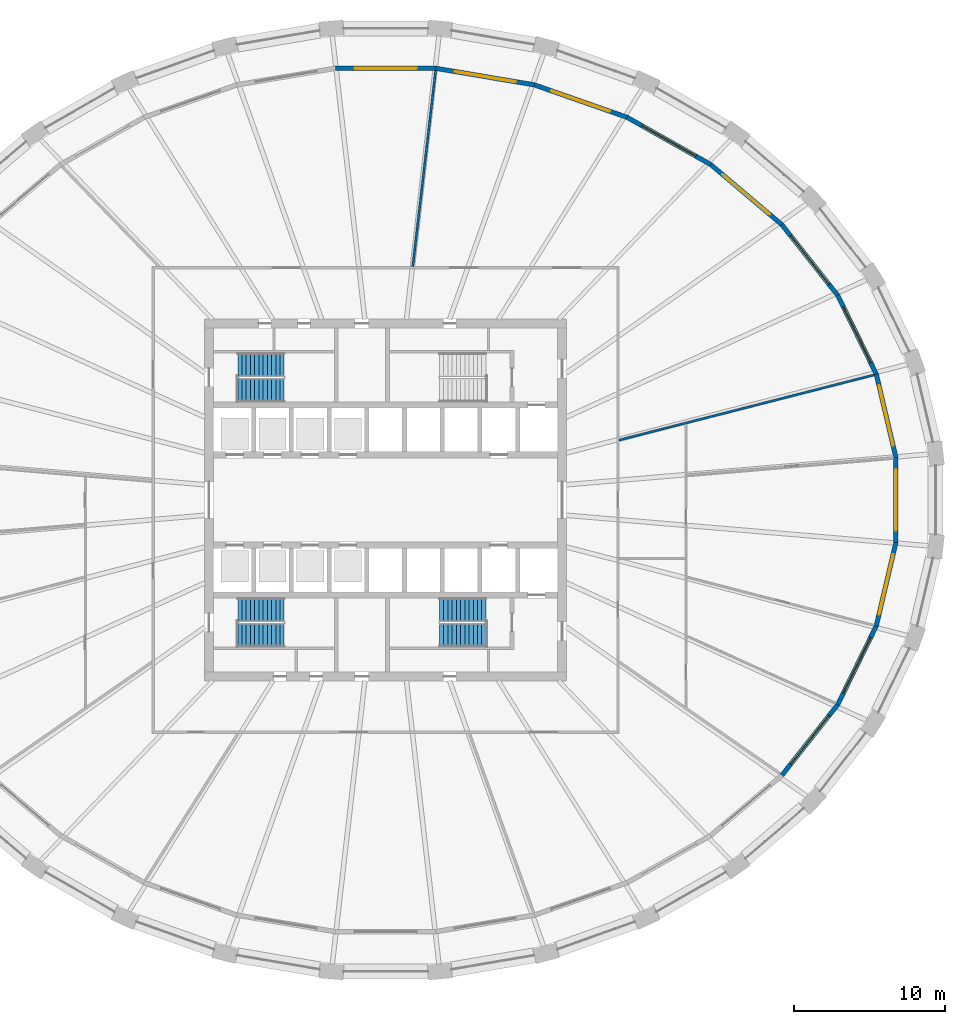
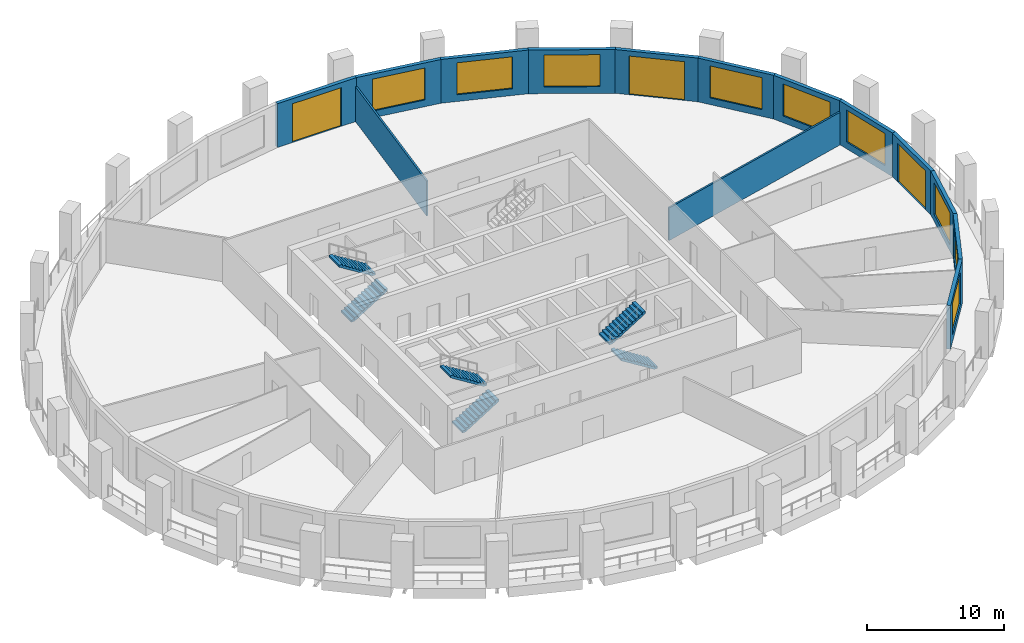
# One storey, part 7 of 11: 14 walls, 9 windows, 6 stair flights, 3 doors, 12 openings, 3 elements without a shape of their own.
"""IFC4 building model written with IfcOpenShell, lengths in metres."""

from ifc_helpers import new_model, si_unit, direction, frame, frame_2d, origin, place, context, subcontext, project, spatial, polyline, rectangle, outline, extrude, material, layer, layer_set, type_object, element, fill, aggregate, save


model = new_model("IFC4")

# Units and contexts
model_context = context("Model", 3, precision=1e-05, world=origin(), true_north=direction((0.0, 1.0)))
body_context = subcontext(model_context, "Body", "Model", "MODEL_VIEW")
ifc_project = project(units=[si_unit("LENGTHUNIT", "METRE"), si_unit("AREAUNIT", "SQUARE_METRE"), si_unit("VOLUMEUNIT", "CUBIC_METRE"), si_unit("PLANEANGLEUNIT", "RADIAN"), si_unit("MASSUNIT", "GRAM", prefix="KILO")], contexts=[model_context])

# Site, building, storey
site_placement = place(None, origin())
site = spatial("IfcSite", under=ifc_project, at=site_placement, CompositionType="ELEMENT")
building_placement = place(site_placement, origin())
building = spatial("IfcBuilding", under=site, at=building_placement, Name="Halqa Exchange Tower", CompositionType="ELEMENT")
storey_placement = place(building_placement, frame((0.0, 0.0, 73.89990234375)))
storey = spatial("IfcBuildingStorey", under=building, at=storey_placement, Name="L16", CompositionType="ELEMENT", Elevation=73.89990234375)

# Walls
ifc_material_1 = material(Name="Fire-rated gypsum board")
ifc_layer_1 = layer(ifc_material_1, 0.14990234375)
ifc_layer_set_1 = layer_set([ifc_layer_1], Name="Fire-rated gypsum board")
wall_type_1 = type_object("IfcWallType", Name="Fire partition EI 60 150", PredefinedType="PARTITIONING", material=ifc_layer_set_1)
wall_1_placement = place(storey_placement, frame((1.7978515625, 15.466552734375, 0.0), z_axis=(0.0, 0.0, 1.0), x_axis=(0.115980148961, 0.993251531611, 0.0)))
element("IfcWall", 1, at=wall_1_placement, inside=storey, type_object=wall_type_1, Name="L16-PWL-011", PredefinedType="PARTITIONING", context=body_context, shape_type="SweptSolid", body=[
    extrude(outline(polyline([(13.07861328125, -0.074951171875), (13.07861328125, 0.03369140625), (13.07373046875, 0.074951171875), (11.2060546875, 0.074951171875), (9.33837890625, 0.074951171875), (7.470703125, 0.074951171875), (5.60302734375, 0.074951171875), (3.7353515625, 0.074951171875), (1.86767578125, 0.074951171875), (0.0, 0.074951171875), (0.0, 0.07275390625), (0.017333984375, -0.074951171875), (1.883056640625, -0.074951171875), (3.7490234375, -0.074951171875), (5.614990234375, -0.074951171875), (7.48095703125, -0.074951171875), (9.3466796875, -0.074951171875), (11.212646484375, -0.074951171875), (13.07861328125, -0.074951171875)])), origin(), (0.0, 0.0, 1.0), 3.110107421875),
])
wall_2_placement = place(storey_placement, frame((15.456787109375, 3.964599609375, 0.0), z_axis=(0.0, 0.0, 1.0), x_axis=(0.968864500014, 0.24759156006, 0.0)))
element("IfcWall", 2, at=wall_2_placement, inside=storey, type_object=wall_type_1, Name="L16-PWL-018", PredefinedType="PARTITIONING", context=body_context, shape_type="SweptSolid", body=[
    extrude(outline(polyline([(0.0, -0.074951171875), (1.505126953125, -0.074951171875), (3.01025390625, -0.074951171875), (4.51513671875, -0.074951171875), (4.515380859375, -0.074951171875), (4.515625, -0.074951171875), (6.365234375, -0.074951171875), (8.21484375, -0.074951171875), (10.064453125, -0.074951171875), (11.9140625, -0.074951171875), (13.763916015625, -0.074951171875), (15.613525390625, -0.074951171875), (17.463134765625, -0.074951171875), (17.463134765625, 0.022705078125), (17.4521484375, 0.074951171875), (15.517333984375, 0.074951171875), (13.582275390625, 0.074951171875), (11.6474609375, 0.074951171875), (9.712646484375, 0.074951171875), (7.777587890625, 0.074951171875), (5.8427734375, 0.074951171875), (3.90771484375, 0.074951171875), (1.972900390625, 0.074951171875), (0.037841796875, 0.074951171875), (0.0, -0.073486328125), (0.0, -0.074951171875)])), origin(), (0.0, 0.0, 1.0), 2.91015625),
])

# Wall, opening, window
ifc_material_2 = material(Name="Limestone cladding", Category="masonry")
ifc_layer_2 = layer(ifc_material_2, 0.0400390625)
ifc_material_3 = material(Name="Ventilated cavity")
ifc_layer_3 = layer(ifc_material_3, 0.030029296875, ventilated=True)
ifc_material_4 = material(Name="Mineral wool insulation")
ifc_layer_4 = layer(ifc_material_4, 0.10009765625)
ifc_material_5 = material(Name="Concrete C30/37", Category="concrete")
ifc_layer_5 = layer(ifc_material_5, 0.10009765625)
ifc_material_6 = material(Name="Internal plaster")
ifc_layer_6 = layer(ifc_material_6, 0.030029296875)
ifc_layer_set_2 = layer_set([ifc_layer_2, ifc_layer_3, ifc_layer_4, ifc_layer_5, ifc_layer_6], Name="Stone-faced insulated wall 300")
wall_type_2 = type_object("IfcWallType", Name="Stone-faced insulated wall 300", PredefinedType="STANDARD", material=ifc_layer_set_2)
wall_3_placement = place(storey_placement, frame((33.818603515625, 2.820556640625, 0.0), z_axis=(0.0, 0.0, 1.0), x_axis=(-0.229058489262, 0.97341266095, 0.0)))
wall_3 = element("IfcWall", 3, at=wall_3_placement, inside=storey, type_object=wall_type_2, Name="Glass-line wall 1", PredefinedType="STANDARD", context=body_context, shape_type="SweptSolid", body=[
    extrude(outline(polyline([(-0.017333984375, -0.14990234375), (5.699951171875, -0.14990234375), (5.666259765625, 0.14990234375), (0.017333984375, 0.14990234375), (-0.017333984375, -0.14990234375)])), origin(), (0.0, 0.0, 1.0), 3.900146484375),
])
opening_1_placement = place(wall_3_placement, frame((0.79150390625, 0.0, 0.60009765625)))
opening_1 = element("IfcOpeningElement", 4, at=opening_1_placement, cuts=wall_3, Name="Opening W-F1-01", PredefinedType="OPENING", context=body_context, shape_type="SweptSolid", body=[
    extrude(rectangle(XDim=4.10009765625, YDim=2.85009765625, at=frame_2d((2.050048828125, 1.425048828125))), frame((0.0, 0.162109375, 0.0), z_axis=(0.0, -1.0, 0.0), x_axis=(1.0, 0.0, 0.0)), (0.0, 0.0, 1.0), 0.323974609375),
])
ifc_material_7 = material(Name="Clear low-emissivity glass in aluminium frame", Category="aluminium")
window_type = type_object("IfcWindowType", Name="Fixed clear glazed window 4100 x 2850", PartitioningType="TRIPLE_PANEL_VERTICAL", PredefinedType="WINDOW", material=ifc_material_7)
window_1_placement = place(opening_1_placement, origin())
window_1 = element("IfcWindow", 5, at=window_1_placement, inside=storey, type_object=window_type, Name="Window 1", OverallHeight=2.85009765625, OverallWidth=4.10009765625, PartitioningType="TRIPLE_PANEL_VERTICAL", PredefinedType="WINDOW", context=body_context, shape_type="SweptSolid", body=[
    extrude(rectangle(XDim=4.10009765625, YDim=2.85009765625, at=frame_2d((2.050048828125, 1.425048828125))), frame((0.0, 0.030029296875, 0.0), z_axis=(0.0, -1.0, 0.0), x_axis=(1.0, 0.0, 0.0)), (0.0, 0.0, 1.0), 0.06005859375),
])
fill(opening_1, window_1)

wall_4_placement = place(storey_placement, frame((32.516845703125, 8.3525390625, 0.0), z_axis=(0.0, 0.0, 1.0), x_axis=(-0.440027465772, 0.897984314655, 0.0)))
wall_4 = element("IfcWall", 6, at=wall_4_placement, inside=storey, type_object=wall_type_2, Name="Glass-line wall 2", PredefinedType="STANDARD", context=body_context, shape_type="SweptSolid", body=[
    extrude(outline(polyline([(-0.016845703125, -0.14990234375), (5.81689453125, -0.14990234375), (5.78466796875, 0.14990234375), (0.016845703125, 0.14990234375), (-0.016845703125, -0.14990234375)])), origin(), (0.0, 0.0, 1.0), 3.900146484375),
])
opening_2_placement = place(wall_4_placement, frame((0.850341796875, 0.0, 0.60009765625)))
opening_2 = element("IfcOpeningElement", 7, at=opening_2_placement, cuts=wall_4, Name="Opening W-F1-02", PredefinedType="OPENING", context=body_context, shape_type="SweptSolid", body=[
    extrude(rectangle(XDim=4.10009765625, YDim=2.85009765625, at=frame_2d((2.050048828125, 1.425048828125))), frame((0.0, 0.162109375, 0.0), z_axis=(0.0, -1.0, 0.0), x_axis=(1.0, 0.0, 0.0)), (0.0, 0.0, 1.0), 0.323974609375),
])
window_2_placement = place(opening_2_placement, origin())
window_2 = element("IfcWindow", 8, at=window_2_placement, inside=storey, type_object=window_type, Name="Window 1", OverallHeight=2.85009765625, OverallWidth=4.10009765625, PartitioningType="TRIPLE_PANEL_VERTICAL", PredefinedType="WINDOW", context=body_context, shape_type="SweptSolid", body=[
    extrude(rectangle(XDim=4.10009765625, YDim=2.85009765625, at=frame_2d((2.050048828125, 1.425048828125))), frame((0.0, 0.030029296875, 0.0), z_axis=(0.0, -1.0, 0.0), x_axis=(1.0, 0.0, 0.0)), (0.0, 0.0, 1.0), 0.06005859375),
])
fill(opening_2, window_2)

wall_5_placement = place(storey_placement, frame((29.96435546875, 13.5615234375, 0.0), z_axis=(0.0, 0.0, 1.0), x_axis=(-0.620093447965, 0.784527957303, 0.0)))
wall_5 = element("IfcWall", 9, at=wall_5_placement, inside=storey, type_object=wall_type_2, Name="Glass-line wall 3", PredefinedType="STANDARD", context=body_context, shape_type="SweptSolid", body=[
    extrude(outline(polyline([(-0.01611328125, -0.14990234375), (5.98828125, -0.14990234375), (5.9580078125, 0.14990234375), (0.01611328125, 0.14990234375), (-0.01611328125, -0.14990234375)])), origin(), (0.0, 0.0, 1.0), 3.900146484375),
])
opening_3_placement = place(wall_5_placement, frame((0.9365234375, 0.0, 0.60009765625)))
opening_3 = element("IfcOpeningElement", 10, at=opening_3_placement, cuts=wall_5, Name="Opening W-F1-03", PredefinedType="OPENING", context=body_context, shape_type="SweptSolid", body=[
    extrude(rectangle(XDim=4.10009765625, YDim=2.85009765625, at=frame_2d((2.050048828125, 1.425048828125))), frame((0.0, 0.162109375, 0.0), z_axis=(0.0, -1.0, 0.0), x_axis=(1.0, 0.0, 0.0)), (0.0, 0.0, 1.0), 0.323974609375),
])
window_3_placement = place(opening_3_placement, origin())
window_3 = element("IfcWindow", 11, at=window_3_placement, inside=storey, type_object=window_type, Name="Window 1", OverallHeight=2.85009765625, OverallWidth=4.10009765625, PartitioningType="TRIPLE_PANEL_VERTICAL", PredefinedType="WINDOW", context=body_context, shape_type="SweptSolid", body=[
    extrude(rectangle(XDim=4.10009765625, YDim=2.85009765625, at=frame_2d((2.050048828125, 1.425048828125))), frame((0.0, 0.030029296875, 0.0), z_axis=(0.0, -1.0, 0.0), x_axis=(1.0, 0.0, 0.0)), (0.0, 0.0, 1.0), 0.06005859375),
])
fill(opening_3, window_3)

# Wall, opening, door
wall_6_placement = place(storey_placement, frame((26.260498046875, 18.24755859375, 0.0), z_axis=(0.0, 0.0, 1.0), x_axis=(-0.763693886759, 0.645578536916, 0.0)))
wall_6 = element("IfcWall", 12, at=wall_6_placement, inside=storey, type_object=wall_type_2, Name="Glass-line wall 4", PredefinedType="STANDARD", context=body_context, shape_type="SweptSolid", body=[
    extrude(outline(polyline([(-0.01513671875, -0.14990234375), (6.18408203125, -0.14990234375), (6.15576171875, 0.14990234375), (0.01513671875, 0.14990234375), (-0.01513671875, -0.14990234375)])), origin(), (0.0, 0.0, 1.0), 3.900146484375),
])
opening_4_placement = place(wall_6_placement, frame((1.034912109375, 0.0, 0.0)))
opening_4 = element("IfcOpeningElement", 13, at=opening_4_placement, cuts=wall_6, Name="Opening LG-F1-01", PredefinedType="OPENING", context=body_context, shape_type="SweptSolid", body=[
    extrude(rectangle(XDim=4.10009765625, YDim=3.449951171875, at=frame_2d((2.050048828125, 1.72509765625))), frame((0.0, 0.162109375, 0.0), z_axis=(0.0, -1.0, 0.0), x_axis=(1.0, 0.0, 0.0)), (0.0, 0.0, 1.0), 0.323974609375),
])
door_type = type_object("IfcDoorType", Name="Glazed sliding loggia door 4100 x 3450", OperationType="DOUBLE_DOOR_SLIDING", PredefinedType="DOOR", material=ifc_material_7)
door_1_placement = place(opening_4_placement, origin())
door_1 = element("IfcDoor", 14, at=door_1_placement, inside=storey, type_object=door_type, Name="Loggia door 1", OperationType="DOUBLE_DOOR_SLIDING", OverallHeight=3.449951171875, OverallWidth=4.10009765625, PredefinedType="DOOR", context=body_context, shape_type="SweptSolid", body=[
    extrude(rectangle(XDim=4.10009765625, YDim=3.449951171875, at=frame_2d((2.050048828125, 1.72509765625))), frame((0.0, 0.02490234375, 0.0), z_axis=(0.0, -1.0, 0.0), x_axis=(1.0, 0.0, 0.0)), (0.0, 0.0, 1.0), 0.050048828125),
])
fill(opening_4, door_1)

# Wall, opening, window
wall_7_placement = place(storey_placement, frame((21.548583984375, 22.230712890625, 0.0), z_axis=(0.0, 0.0, 1.0), x_axis=(-0.870710061474, 0.491796694629, 0.0)))
wall_7 = element("IfcWall", 15, at=wall_7_placement, inside=storey, type_object=wall_type_2, Name="Glass-line wall 5", PredefinedType="STANDARD", context=body_context, shape_type="SweptSolid", body=[
    extrude(outline(polyline([(-0.01416015625, -0.14990234375), (6.3740234375, -0.14990234375), (6.34716796875, 0.14990234375), (0.01416015625, 0.14990234375), (-0.01416015625, -0.14990234375)])), origin(), (0.0, 0.0, 1.0), 3.900146484375),
])
opening_5_placement = place(wall_7_placement, frame((1.13037109375, 0.0, 0.60009765625)))
opening_5 = element("IfcOpeningElement", 16, at=opening_5_placement, cuts=wall_7, Name="Opening W-F1-05", PredefinedType="OPENING", context=body_context, shape_type="SweptSolid", body=[
    extrude(rectangle(XDim=4.10009765625, YDim=2.85009765625, at=frame_2d((2.050048828125, 1.425048828125))), frame((0.0, 0.162109375, 0.0), z_axis=(0.0, -1.0, 0.0), x_axis=(1.0, 0.0, 0.0)), (0.0, 0.0, 1.0), 0.323974609375),
])
window_4_placement = place(opening_5_placement, origin())
window_4 = element("IfcWindow", 17, at=window_4_placement, inside=storey, type_object=window_type, Name="Window 1", OverallHeight=2.85009765625, OverallWidth=4.10009765625, PartitioningType="TRIPLE_PANEL_VERTICAL", PredefinedType="WINDOW", context=body_context, shape_type="SweptSolid", body=[
    extrude(rectangle(XDim=4.10009765625, YDim=2.85009765625, at=frame_2d((2.050048828125, 1.425048828125))), frame((0.0, 0.030029296875, 0.0), z_axis=(0.0, -1.0, 0.0), x_axis=(1.0, 0.0, 0.0)), (0.0, 0.0, 1.0), 0.06005859375),
])
fill(opening_5, window_4)

wall_8_placement = place(storey_placement, frame((16.01025390625, 25.35888671875, 0.0), z_axis=(0.0, 0.0, 1.0), x_axis=(-0.943815136299, 0.330473884736, 0.0)))
wall_8 = element("IfcWall", 18, at=wall_8_placement, inside=storey, type_object=wall_type_2, Name="Glass-line wall 6", PredefinedType="STANDARD", context=body_context, shape_type="SweptSolid", body=[
    extrude(outline(polyline([(-0.013427734375, -0.14990234375), (6.53076171875, -0.14990234375), (6.50537109375, 0.14990234375), (0.013427734375, 0.14990234375), (-0.013427734375, -0.14990234375)])), origin(), (0.0, 0.0, 1.0), 3.900146484375),
])
opening_6_placement = place(wall_8_placement, frame((1.208984375, 0.0, 0.60009765625)))
opening_6 = element("IfcOpeningElement", 19, at=opening_6_placement, cuts=wall_8, Name="Opening W-F1-06", PredefinedType="OPENING", context=body_context, shape_type="SweptSolid", body=[
    extrude(rectangle(XDim=4.10009765625, YDim=2.85009765625, at=frame_2d((2.050048828125, 1.425048828125))), frame((0.0, 0.162109375, 0.0), z_axis=(0.0, -1.0, 0.0), x_axis=(1.0, 0.0, 0.0)), (0.0, 0.0, 1.0), 0.323974609375),
])
window_5_placement = place(opening_6_placement, origin())
window_5 = element("IfcWindow", 20, at=window_5_placement, inside=storey, type_object=window_type, Name="Window 1", OverallHeight=2.85009765625, OverallWidth=4.10009765625, PartitioningType="TRIPLE_PANEL_VERTICAL", PredefinedType="WINDOW", context=body_context, shape_type="SweptSolid", body=[
    extrude(rectangle(XDim=4.10009765625, YDim=2.85009765625, at=frame_2d((2.050048828125, 1.425048828125))), frame((0.0, 0.030029296875, 0.0), z_axis=(0.0, -1.0, 0.0), x_axis=(1.0, 0.0, 0.0)), (0.0, 0.0, 1.0), 0.06005859375),
])
fill(opening_6, window_5)

wall_9_placement = place(storey_placement, frame((9.8583984375, 27.512939453125, 0.0), z_axis=(0.0, 0.0, 1.0), x_axis=(-0.986157735925, 0.165809890767, 0.0)))
wall_9 = element("IfcWall", 21, at=wall_9_placement, inside=storey, type_object=wall_type_2, Name="Glass-line wall 7", PredefinedType="STANDARD", context=body_context, shape_type="SweptSolid", body=[
    extrude(outline(polyline([(-0.0126953125, -0.14990234375), (6.6337890625, -0.14990234375), (6.60888671875, 0.14990234375), (0.0126953125, 0.14990234375), (-0.0126953125, -0.14990234375)])), origin(), (0.0, 0.0, 1.0), 3.900146484375),
])
opening_7_placement = place(wall_9_placement, frame((1.2607421875, 0.0, 0.60009765625)))
opening_7 = element("IfcOpeningElement", 22, at=opening_7_placement, cuts=wall_9, Name="Opening W-F1-07", PredefinedType="OPENING", context=body_context, shape_type="SweptSolid", body=[
    extrude(rectangle(XDim=4.10009765625, YDim=2.85009765625, at=frame_2d((2.050048828125, 1.425048828125))), frame((0.0, 0.162109375, 0.0), z_axis=(0.0, -1.0, 0.0), x_axis=(1.0, 0.0, 0.0)), (0.0, 0.0, 1.0), 0.323974609375),
])
window_6_placement = place(opening_7_placement, origin())
window_6 = element("IfcWindow", 23, at=window_6_placement, inside=storey, type_object=window_type, Name="Window 1", OverallHeight=2.85009765625, OverallWidth=4.10009765625, PartitioningType="TRIPLE_PANEL_VERTICAL", PredefinedType="WINDOW", context=body_context, shape_type="SweptSolid", body=[
    extrude(rectangle(XDim=4.10009765625, YDim=2.85009765625, at=frame_2d((2.050048828125, 1.425048828125))), frame((0.0, 0.030029296875, 0.0), z_axis=(0.0, -1.0, 0.0), x_axis=(1.0, 0.0, 0.0)), (0.0, 0.0, 1.0), 0.06005859375),
])
fill(opening_7, window_6)

# Wall, opening, door
wall_10_placement = place(storey_placement, frame((3.32861328125, 28.61083984375, 0.0), z_axis=(0.0, 0.0, 1.0), x_axis=(-1.0, 0.0, 0.0)))
wall_10 = element("IfcWall", 24, at=wall_10_placement, inside=storey, type_object=wall_type_2, Name="Glass-line wall 8", PredefinedType="STANDARD", context=body_context, shape_type="SweptSolid", body=[
    extrude(outline(polyline([(-0.012451171875, -0.14990234375), (6.669677734375, -0.14990234375), (6.644775390625, 0.14990234375), (0.012451171875, 0.14990234375), (-0.012451171875, -0.14990234375)])), origin(), (0.0, 0.0, 1.0), 3.900146484375),
])
opening_8_placement = place(wall_10_placement, frame((1.278564453125, 0.0, 0.0)))
opening_8 = element("IfcOpeningElement", 25, at=opening_8_placement, cuts=wall_10, Name="Opening LG-F1-02", PredefinedType="OPENING", context=body_context, shape_type="SweptSolid", body=[
    extrude(rectangle(XDim=4.10009765625, YDim=3.449951171875, at=frame_2d((2.050048828125, 1.72509765625))), frame((0.0, 0.162109375, 0.0), z_axis=(0.0, -1.0, 0.0), x_axis=(1.0, 0.0, 0.0)), (0.0, 0.0, 1.0), 0.323974609375),
])
door_2_placement = place(opening_8_placement, origin())
door_2 = element("IfcDoor", 26, at=door_2_placement, inside=storey, type_object=door_type, Name="Loggia door 2", OperationType="DOUBLE_DOOR_SLIDING", OverallHeight=3.449951171875, OverallWidth=4.10009765625, PredefinedType="DOOR", context=body_context, shape_type="SweptSolid", body=[
    extrude(rectangle(XDim=4.10009765625, YDim=3.449951171875, at=frame_2d((2.050048828125, 1.72509765625))), frame((0.0, 0.02490234375, 0.0), z_axis=(0.0, -1.0, 0.0), x_axis=(1.0, 0.0, 0.0)), (0.0, 0.0, 1.0), 0.050048828125),
])
fill(opening_8, door_2)

# Wall, opening, window
wall_11_placement = place(storey_placement, frame((26.260498046875, -18.24755859375, 0.0), z_axis=(0.0, 0.0, 1.0), x_axis=(0.620093447965, 0.784527957303, 0.0)))
wall_11 = element("IfcWall", 27, at=wall_11_placement, inside=storey, type_object=wall_type_2, Name="Glass-line wall 29", PredefinedType="STANDARD", context=body_context, shape_type="SweptSolid", body=[
    extrude(outline(polyline([(-0.01513671875, -0.14990234375), (5.9892578125, -0.14990234375), (5.95703125, 0.14990234375), (0.01513671875, 0.14990234375), (-0.01513671875, -0.14990234375)])), origin(), (0.0, 0.0, 1.0), 3.900146484375),
])
opening_9_placement = place(wall_11_placement, frame((0.9365234375, 0.0, 0.60009765625)))
opening_9 = element("IfcOpeningElement", 28, at=opening_9_placement, cuts=wall_11, Name="Opening W-F1-29", PredefinedType="OPENING", context=body_context, shape_type="SweptSolid", body=[
    extrude(rectangle(XDim=4.10009765625, YDim=2.85009765625, at=frame_2d((2.050048828125, 1.425048828125))), frame((0.0, 0.162109375, 0.0), z_axis=(0.0, -1.0, 0.0), x_axis=(1.0, 0.0, 0.0)), (0.0, 0.0, 1.0), 0.323974609375),
])
window_7_placement = place(opening_9_placement, origin())
window_7 = element("IfcWindow", 29, at=window_7_placement, inside=storey, type_object=window_type, Name="Window 1", OverallHeight=2.85009765625, OverallWidth=4.10009765625, PartitioningType="TRIPLE_PANEL_VERTICAL", PredefinedType="WINDOW", context=body_context, shape_type="SweptSolid", body=[
    extrude(rectangle(XDim=4.10009765625, YDim=2.85009765625, at=frame_2d((2.050048828125, 1.425048828125))), frame((0.0, 0.030029296875, 0.0), z_axis=(0.0, -1.0, 0.0), x_axis=(1.0, 0.0, 0.0)), (0.0, 0.0, 1.0), 0.06005859375),
])
fill(opening_9, window_7)

wall_12_placement = place(storey_placement, frame((29.96435546875, -13.5615234375, 0.0), z_axis=(0.0, 0.0, 1.0), x_axis=(0.440027465772, 0.897984314655, 0.0)))
wall_12 = element("IfcWall", 30, at=wall_12_placement, inside=storey, type_object=wall_type_2, Name="Glass-line wall 30", PredefinedType="STANDARD", context=body_context, shape_type="SweptSolid", body=[
    extrude(outline(polyline([(-0.01611328125, -0.14990234375), (5.817626953125, -0.14990234375), (5.783935546875, 0.14990234375), (0.01611328125, 0.14990234375), (-0.01611328125, -0.14990234375)])), origin(), (0.0, 0.0, 1.0), 3.900146484375),
])
opening_10_placement = place(wall_12_placement, frame((0.850341796875, 0.0, 0.60009765625)))
opening_10 = element("IfcOpeningElement", 31, at=opening_10_placement, cuts=wall_12, Name="Opening W-F1-30", PredefinedType="OPENING", context=body_context, shape_type="SweptSolid", body=[
    extrude(rectangle(XDim=4.10009765625, YDim=2.85009765625, at=frame_2d((2.050048828125, 1.425048828125))), frame((0.0, 0.162109375, 0.0), z_axis=(0.0, -1.0, 0.0), x_axis=(1.0, 0.0, 0.0)), (0.0, 0.0, 1.0), 0.323974609375),
])
window_8_placement = place(opening_10_placement, origin())
window_8 = element("IfcWindow", 32, at=window_8_placement, inside=storey, type_object=window_type, Name="Window 1", OverallHeight=2.85009765625, OverallWidth=4.10009765625, PartitioningType="TRIPLE_PANEL_VERTICAL", PredefinedType="WINDOW", context=body_context, shape_type="SweptSolid", body=[
    extrude(rectangle(XDim=4.10009765625, YDim=2.85009765625, at=frame_2d((2.050048828125, 1.425048828125))), frame((0.0, 0.030029296875, 0.0), z_axis=(0.0, -1.0, 0.0), x_axis=(1.0, 0.0, 0.0)), (0.0, 0.0, 1.0), 0.06005859375),
])
fill(opening_10, window_8)

wall_13_placement = place(storey_placement, frame((32.516845703125, -8.3525390625, 0.0), z_axis=(0.0, 0.0, 1.0), x_axis=(0.229058489262, 0.97341266095, 0.0)))
wall_13 = element("IfcWall", 33, at=wall_13_placement, inside=storey, type_object=wall_type_2, Name="Glass-line wall 31", PredefinedType="STANDARD", context=body_context, shape_type="SweptSolid", body=[
    extrude(outline(polyline([(-0.016845703125, -0.14990234375), (5.700439453125, -0.14990234375), (5.665771484375, 0.14990234375), (0.016845703125, 0.14990234375), (-0.016845703125, -0.14990234375)])), origin(), (0.0, 0.0, 1.0), 3.900146484375),
])
opening_11_placement = place(wall_13_placement, frame((0.79150390625, 0.0, 0.60009765625)))
opening_11 = element("IfcOpeningElement", 34, at=opening_11_placement, cuts=wall_13, Name="Opening W-F1-31", PredefinedType="OPENING", context=body_context, shape_type="SweptSolid", body=[
    extrude(rectangle(XDim=4.10009765625, YDim=2.85009765625, at=frame_2d((2.050048828125, 1.425048828125))), frame((0.0, 0.162109375, 0.0), z_axis=(0.0, -1.0, 0.0), x_axis=(1.0, 0.0, 0.0)), (0.0, 0.0, 1.0), 0.323974609375),
])
window_9_placement = place(opening_11_placement, origin())
window_9 = element("IfcWindow", 35, at=window_9_placement, inside=storey, type_object=window_type, Name="Window 1", OverallHeight=2.85009765625, OverallWidth=4.10009765625, PartitioningType="TRIPLE_PANEL_VERTICAL", PredefinedType="WINDOW", context=body_context, shape_type="SweptSolid", body=[
    extrude(rectangle(XDim=4.10009765625, YDim=2.85009765625, at=frame_2d((2.050048828125, 1.425048828125))), frame((0.0, 0.030029296875, 0.0), z_axis=(0.0, -1.0, 0.0), x_axis=(1.0, 0.0, 0.0)), (0.0, 0.0, 1.0), 0.06005859375),
])
fill(opening_11, window_9)

# Wall, opening, door
wall_14_placement = place(storey_placement, frame((33.818603515625, -2.820556640625, 0.0), z_axis=(0.0, 0.0, 1.0), x_axis=(0.0, 1.0, 0.0)))
wall_14 = element("IfcWall", 36, at=wall_14_placement, inside=storey, type_object=wall_type_2, Name="Glass-line wall 32", PredefinedType="STANDARD", context=body_context, shape_type="SweptSolid", body=[
    extrude(outline(polyline([(-0.017333984375, -0.14990234375), (5.658447265625, -0.14990234375), (5.623779296875, 0.14990234375), (0.017333984375, 0.14990234375), (-0.017333984375, -0.14990234375)])), origin(), (0.0, 0.0, 1.0), 3.900146484375),
])
opening_12_placement = place(wall_14_placement, frame((0.7705078125, 0.0, 0.0)))
opening_12 = element("IfcOpeningElement", 37, at=opening_12_placement, cuts=wall_14, Name="Opening LG-F1-08", PredefinedType="OPENING", context=body_context, shape_type="SweptSolid", body=[
    extrude(rectangle(XDim=4.10009765625, YDim=3.449951171875, at=frame_2d((2.050048828125, 1.72509765625))), frame((0.0, 0.162109375, 0.0), z_axis=(0.0, -1.0, 0.0), x_axis=(1.0, 0.0, 0.0)), (0.0, 0.0, 1.0), 0.323974609375),
])
door_3_placement = place(opening_12_placement, origin())
door_3 = element("IfcDoor", 38, at=door_3_placement, inside=storey, type_object=door_type, Name="Loggia door 8", OperationType="DOUBLE_DOOR_SLIDING", OverallHeight=3.449951171875, OverallWidth=4.10009765625, PredefinedType="DOOR", context=body_context, shape_type="SweptSolid", body=[
    extrude(rectangle(XDim=4.10009765625, YDim=3.449951171875, at=frame_2d((2.050048828125, 1.72509765625))), frame((0.0, 0.02490234375, 0.0), z_axis=(0.0, -1.0, 0.0), x_axis=(1.0, 0.0, 0.0)), (0.0, 0.0, 1.0), 0.050048828125),
])
fill(opening_12, door_3)

# Stair, stair flights
stair_type = type_object("IfcStairType", Name="Exit stair 1500 wide", PredefinedType="HALF_TURN_STAIR", material=ifc_material_5)
stair_1_placement = place(storey_placement, origin())
stair_1 = element("IfcStair", 39, at=stair_1_placement, inside=storey, type_object=stair_type, Name="Exit stair ST1", PredefinedType="HALF_TURN_STAIR")
stair_flight_type = type_object("IfcStairFlightType", Name="Stair flight 1500 wide", PredefinedType="STRAIGHT", material=ifc_material_5)
stair_flight_1_placement = place(storey_placement, frame((-9.800048828125, 7.25, 0.0), z_axis=(0.0, 0.0, 1.0), x_axis=(1.0, 0.0, 0.0)))
stair_flight_1 = element("IfcStairFlight", 40, at=stair_flight_1_placement, type_object=stair_flight_type, Name="ST1 flight 1", NumberOfRisers=12, NumberOfTreads=11, PredefinedType="STRAIGHT", RiserHeight=0.175, TreadLength=0.28, context=body_context, shape_type="SweptSolid", body=[
    extrude(outline(polyline([(0.0, 0.0), (0.0, 0.175048828125), (0.280029296875, 0.175048828125), (0.280029296875, 0.35009765625), (0.56005859375, 0.35009765625), (0.56005859375, 0.52490234375), (0.840087890625, 0.52490234375), (0.840087890625, 0.699951171875), (1.1201171875, 0.699951171875), (1.1201171875, 0.875), (1.39990234375, 0.875), (1.39990234375, 1.050048828125), (1.679931640625, 1.050048828125), (1.679931640625, 1.22509765625), (1.9599609375, 1.22509765625), (1.9599609375, 1.39990234375), (2.239990234375, 1.39990234375), (2.239990234375, 1.574951171875), (2.52001953125, 1.574951171875), (2.52001953125, 1.75), (2.800048828125, 1.75), (2.800048828125, 1.925048828125), (3.080078125, 1.925048828125), (3.080078125, 2.10009765625), (3.080078125, 1.748291015625), (0.28271484375, 0.0), (0.0, 0.0)])), frame((0.0, 0.75, 0.0), z_axis=(0.0, -1.0, 0.0), x_axis=(1.0, 0.0, 0.0)), (0.0, 0.0, 1.0), 1.5),
])
stair_flight_2_placement = place(storey_placement, frame((-6.719970703125, 9.0, 2.10009765625), z_axis=(0.0, 0.0, 1.0), x_axis=(-1.0, 0.0, 0.0)))
stair_flight_2 = element("IfcStairFlight", 41, at=stair_flight_2_placement, type_object=stair_flight_type, Name="ST1 flight 2", NumberOfRisers=12, NumberOfTreads=11, PredefinedType="STRAIGHT", RiserHeight=0.175, TreadLength=0.28, context=body_context, shape_type="SweptSolid", body=[
    extrude(outline(polyline([(0.0, 0.0), (0.0, 0.175048828125), (0.280029296875, 0.175048828125), (0.280029296875, 0.35009765625), (0.56005859375, 0.35009765625), (0.56005859375, 0.52490234375), (0.840087890625, 0.52490234375), (0.840087890625, 0.699951171875), (1.1201171875, 0.699951171875), (1.1201171875, 0.875), (1.39990234375, 0.875), (1.39990234375, 1.050048828125), (1.679931640625, 1.050048828125), (1.679931640625, 1.22509765625), (1.9599609375, 1.22509765625), (1.9599609375, 1.39990234375), (2.239990234375, 1.39990234375), (2.239990234375, 1.574951171875), (2.52001953125, 1.574951171875), (2.52001953125, 1.75), (2.800048828125, 1.75), (2.800048828125, 1.925048828125), (3.080078125, 1.925048828125), (3.080078125, 2.10009765625), (3.080078125, 1.748291015625), (0.28271484375, 0.0), (0.0, 0.0)])), frame((0.0, 0.75, 0.0), z_axis=(0.0, -1.0, 0.0), x_axis=(1.0, 0.0, 0.0)), (0.0, 0.0, 1.0), 1.5),
])
aggregate(stair_1, [stair_flight_1, stair_flight_2])

stair_2_placement = place(storey_placement, origin())
stair_2 = element("IfcStair", 42, at=stair_2_placement, inside=storey, type_object=stair_type, Name="Exit stair ST3", PredefinedType="HALF_TURN_STAIR")
stair_flight_3_placement = place(storey_placement, frame((-9.800048828125, -9.0, 0.0), z_axis=(0.0, 0.0, 1.0), x_axis=(1.0, 0.0, 0.0)))
stair_flight_3 = element("IfcStairFlight", 43, at=stair_flight_3_placement, type_object=stair_flight_type, Name="ST3 flight 1", NumberOfRisers=12, NumberOfTreads=11, PredefinedType="STRAIGHT", RiserHeight=0.175, TreadLength=0.28, context=body_context, shape_type="SweptSolid", body=[
    extrude(outline(polyline([(0.0, 0.0), (0.0, 0.175048828125), (0.280029296875, 0.175048828125), (0.280029296875, 0.35009765625), (0.56005859375, 0.35009765625), (0.56005859375, 0.52490234375), (0.840087890625, 0.52490234375), (0.840087890625, 0.699951171875), (1.1201171875, 0.699951171875), (1.1201171875, 0.875), (1.39990234375, 0.875), (1.39990234375, 1.050048828125), (1.679931640625, 1.050048828125), (1.679931640625, 1.22509765625), (1.9599609375, 1.22509765625), (1.9599609375, 1.39990234375), (2.239990234375, 1.39990234375), (2.239990234375, 1.574951171875), (2.52001953125, 1.574951171875), (2.52001953125, 1.75), (2.800048828125, 1.75), (2.800048828125, 1.925048828125), (3.080078125, 1.925048828125), (3.080078125, 2.10009765625), (3.080078125, 1.748291015625), (0.28271484375, 0.0), (0.0, 0.0)])), frame((0.0, 0.75, 0.0), z_axis=(0.0, -1.0, 0.0), x_axis=(1.0, 0.0, 0.0)), (0.0, 0.0, 1.0), 1.5),
])
stair_flight_4_placement = place(storey_placement, frame((-6.719970703125, -7.25, 2.10009765625), z_axis=(0.0, 0.0, 1.0), x_axis=(-1.0, 0.0, 0.0)))
stair_flight_4 = element("IfcStairFlight", 44, at=stair_flight_4_placement, type_object=stair_flight_type, Name="ST3 flight 2", NumberOfRisers=12, NumberOfTreads=11, PredefinedType="STRAIGHT", RiserHeight=0.175, TreadLength=0.28, context=body_context, shape_type="SweptSolid", body=[
    extrude(outline(polyline([(0.0, 0.0), (0.0, 0.175048828125), (0.280029296875, 0.175048828125), (0.280029296875, 0.35009765625), (0.56005859375, 0.35009765625), (0.56005859375, 0.52490234375), (0.840087890625, 0.52490234375), (0.840087890625, 0.699951171875), (1.1201171875, 0.699951171875), (1.1201171875, 0.875), (1.39990234375, 0.875), (1.39990234375, 1.050048828125), (1.679931640625, 1.050048828125), (1.679931640625, 1.22509765625), (1.9599609375, 1.22509765625), (1.9599609375, 1.39990234375), (2.239990234375, 1.39990234375), (2.239990234375, 1.574951171875), (2.52001953125, 1.574951171875), (2.52001953125, 1.75), (2.800048828125, 1.75), (2.800048828125, 1.925048828125), (3.080078125, 1.925048828125), (3.080078125, 2.10009765625), (3.080078125, 1.748291015625), (0.28271484375, 0.0), (0.0, 0.0)])), frame((0.0, 0.75, 0.0), z_axis=(0.0, -1.0, 0.0), x_axis=(1.0, 0.0, 0.0)), (0.0, 0.0, 1.0), 1.5),
])
aggregate(stair_2, [stair_flight_3, stair_flight_4])

stair_3_placement = place(storey_placement, origin())
stair_3 = element("IfcStair", 45, at=stair_3_placement, inside=storey, type_object=stair_type, Name="Exit stair ST4", PredefinedType="HALF_TURN_STAIR")
stair_flight_5_placement = place(storey_placement, frame((6.64990234375, -9.0, 0.0), z_axis=(0.0, 0.0, 1.0), x_axis=(-1.0, 0.0, 0.0)))
stair_flight_5 = element("IfcStairFlight", 46, at=stair_flight_5_placement, type_object=stair_flight_type, Name="ST4 flight 1", NumberOfRisers=12, NumberOfTreads=11, PredefinedType="STRAIGHT", RiserHeight=0.175, TreadLength=0.28, context=body_context, shape_type="SweptSolid", body=[
    extrude(outline(polyline([(0.0, 0.0), (0.0, 0.175048828125), (0.280029296875, 0.175048828125), (0.280029296875, 0.35009765625), (0.56005859375, 0.35009765625), (0.56005859375, 0.52490234375), (0.840087890625, 0.52490234375), (0.840087890625, 0.699951171875), (1.1201171875, 0.699951171875), (1.1201171875, 0.875), (1.39990234375, 0.875), (1.39990234375, 1.050048828125), (1.679931640625, 1.050048828125), (1.679931640625, 1.22509765625), (1.9599609375, 1.22509765625), (1.9599609375, 1.39990234375), (2.239990234375, 1.39990234375), (2.239990234375, 1.574951171875), (2.52001953125, 1.574951171875), (2.52001953125, 1.75), (2.800048828125, 1.75), (2.800048828125, 1.925048828125), (3.080078125, 1.925048828125), (3.080078125, 2.10009765625), (3.080078125, 1.748291015625), (0.28271484375, 0.0), (0.0, 0.0)])), frame((0.0, 0.75, 0.0), z_axis=(0.0, -1.0, 0.0), x_axis=(1.0, 0.0, 0.0)), (0.0, 0.0, 1.0), 1.5),
])
stair_flight_6_placement = place(storey_placement, frame((3.570068359375, -7.25, 2.10009765625), z_axis=(0.0, 0.0, 1.0), x_axis=(1.0, 0.0, 0.0)))
stair_flight_6 = element("IfcStairFlight", 47, at=stair_flight_6_placement, type_object=stair_flight_type, Name="ST4 flight 2", NumberOfRisers=12, NumberOfTreads=11, PredefinedType="STRAIGHT", RiserHeight=0.175, TreadLength=0.28, context=body_context, shape_type="SweptSolid", body=[
    extrude(outline(polyline([(0.0, 0.0), (0.0, 0.175048828125), (0.280029296875, 0.175048828125), (0.280029296875, 0.35009765625), (0.56005859375, 0.35009765625), (0.56005859375, 0.52490234375), (0.840087890625, 0.52490234375), (0.840087890625, 0.699951171875), (1.1201171875, 0.699951171875), (1.1201171875, 0.875), (1.39990234375, 0.875), (1.39990234375, 1.050048828125), (1.679931640625, 1.050048828125), (1.679931640625, 1.22509765625), (1.9599609375, 1.22509765625), (1.9599609375, 1.39990234375), (2.239990234375, 1.39990234375), (2.239990234375, 1.574951171875), (2.52001953125, 1.574951171875), (2.52001953125, 1.75), (2.800048828125, 1.75), (2.800048828125, 1.925048828125), (3.080078125, 1.925048828125), (3.080078125, 2.10009765625), (3.080078125, 1.748291015625), (0.28271484375, 0.0), (0.0, 0.0)])), frame((0.0, 0.75, 0.0), z_axis=(0.0, -1.0, 0.0), x_axis=(1.0, 0.0, 0.0)), (0.0, 0.0, 1.0), 1.5),
])
aggregate(stair_3, [stair_flight_5, stair_flight_6])

save(model, "model.ifc")
